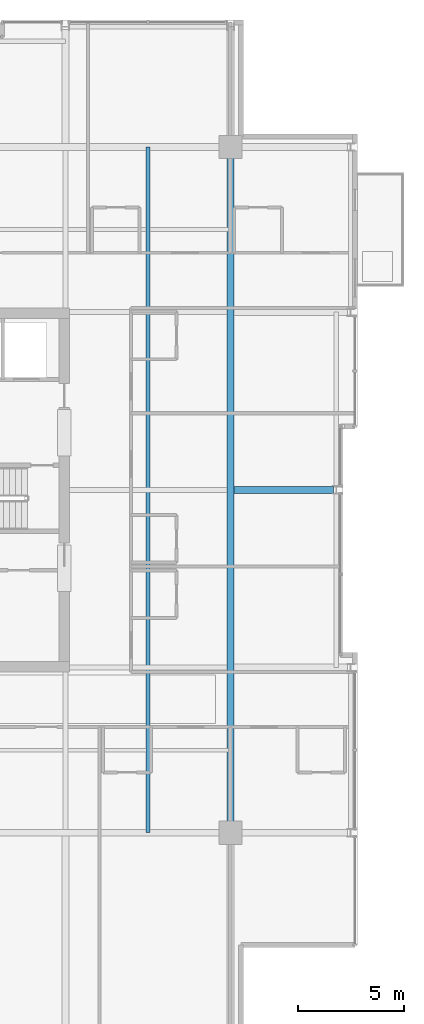
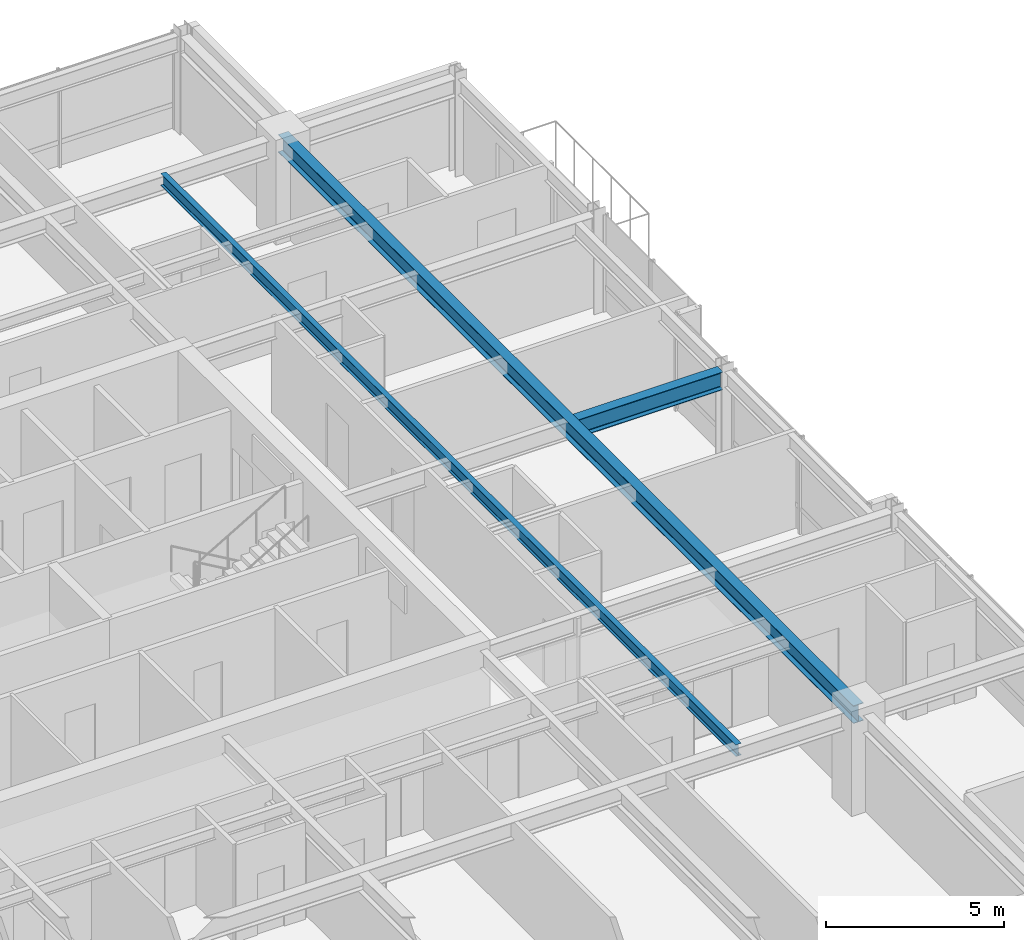
# One storey, part 16 of 33: 3 beams.
"""IFC4 building model written with IfcOpenShell, lengths in metres."""

import ifcopenshell
import ifcopenshell.guid

model = None  # the IFC model being written
_history = None  # IfcOwnerHistory: only IFC2X3 demands one
_inside = {}  # id of a spatial element -> (the spatial element, [elements in it])
_under = {}  # id of a project, library or spatial element -> (it, [spatial elements below it])
_declared = {}  # id of a project -> (the project, [libraries it declares])
_typed = {}  # id of a type object -> (the type object, [elements of that type])
_made_of = {}  # id of a material, layer set ... -> (it, [elements and type objects made of it])


def new_model(schema):
    """Start an empty IFC model of exactly this schema.

    Asked for "IFC4X3", IfcOpenShell would pick the latest addendum, in which some entities
    have other attributes; the version numbers below select the first issue.
    IFC2X3 requires an IfcOwnerHistory on every rooted entity: one is made here for all.
    """
    global model, _history
    if schema == "IFC4X3":
        model = ifcopenshell.file(schema_version=(4, 3, 0, 0))
    else:
        model = ifcopenshell.file(schema=schema)
    _inside.clear()
    _under.clear()
    _declared.clear()
    _typed.clear()
    _made_of.clear()
    _history = None
    if model.schema == "IFC2X3":
        org = make("IfcOrganization", Name="unknown")
        user = make(
            "IfcPersonAndOrganization",
            ThePerson=make("IfcPerson", FamilyName="unknown"),
            TheOrganization=org,
        )
        app = make(
            "IfcApplication",
            ApplicationDeveloper=org,
            Version="unknown",
            ApplicationFullName="unknown",
            ApplicationIdentifier="unknown",
        )
        _history = make(
            "IfcOwnerHistory",
            OwningUser=user,
            OwningApplication=app,
            ChangeAction="ADDED",
            CreationDate=0,
        )
    return model


def make(cls, **values):
    """One entity of the class cls with the attributes given. An attribute that is None is left unset."""
    return model.create_entity(
        cls, **{name: value for name, value in values.items() if value is not None}
    )


def rooted(cls, **values):
    """An entity with a GlobalId (a new one), such as an element, a storey or a relation."""
    return make(cls, GlobalId=ifcopenshell.guid.new(), OwnerHistory=_history, **values)


def si_unit(unit_type, name, prefix=None):
    """IfcSIUnit, for example si_unit("LENGTHUNIT", "METRE", prefix="MILLI")."""
    return make("IfcSIUnit", UnitType=unit_type, Prefix=prefix, Name=name)


def assignment(units):
    """IfcUnitAssignment: the units of a project."""
    return None if units is None else make("IfcUnitAssignment", Units=units)


def point(xyz):
    """IfcCartesianPoint."""
    return None if xyz is None else make("IfcCartesianPoint", Coordinates=xyz)


def direction(xyz):
    """IfcDirection."""
    return None if xyz is None else make("IfcDirection", DirectionRatios=xyz)


def frame(location, z_axis=None, x_axis=None):
    """IfcAxis2Placement3D, a coordinate frame: its origin and axes. An axis left out is left unset."""
    return make(
        "IfcAxis2Placement3D",
        Location=point(location),
        Axis=direction(z_axis),
        RefDirection=direction(x_axis),
    )


def frame_2d(location, x_axis=None):
    """IfcAxis2Placement2D, a coordinate frame in the plane: its origin and x axis."""
    return make(
        "IfcAxis2Placement2D", Location=point(location), RefDirection=direction(x_axis)
    )


def origin():
    """The frame at (0, 0, 0) with its axes left unset."""
    return frame((0.0, 0.0, 0.0))


def origin_2d():
    """The frame at (0, 0) in the plane with its x axis left unset."""
    return frame_2d((0.0, 0.0))


def place(relative_to, where):
    """IfcLocalPlacement: puts the frame where relative to a parent placement (None: the world)."""
    return make(
        "IfcLocalPlacement", PlacementRelTo=relative_to, RelativePlacement=where
    )


def context(
    kind, dimensions, precision=None, world=None, true_north=None, identifier=None
):
    """IfcGeometricRepresentationContext, for example the 3D "Model" context."""
    return make(
        "IfcGeometricRepresentationContext",
        ContextIdentifier=identifier,
        ContextType=kind,
        CoordinateSpaceDimension=dimensions,
        Precision=precision,
        WorldCoordinateSystem=world,
        TrueNorth=true_north,
    )


def subcontext(parent, identifier, kind, view, scale=None):
    """IfcGeometricRepresentationSubContext, for example "Body" below "Model"."""
    return make(
        "IfcGeometricRepresentationSubContext",
        ContextIdentifier=identifier,
        ContextType=kind,
        ParentContext=parent,
        TargetScale=scale,
        TargetView=view,
    )


def project(units=None, contexts=None):
    """IfcProject with its units and contexts."""
    return rooted(
        "IfcProject",
        Name="project",
        RepresentationContexts=contexts,
        UnitsInContext=assignment(units),
    )


def spatial(cls, under=None, at=None, **own):
    """A site, building, storey or space (cls), placed at a placement, below another one or the project."""
    s = rooted(cls, ObjectPlacement=at, **own)
    if under is not None:
        _under.setdefault(under.id(), (under, []))[1].append(s)
    return s


def profile(cls, at=None, kind="AREA", **sizes):
    """A parametric profile (cls). Its sizes go by their IFC names, for example OverallWidth=200.0."""
    return make(cls, ProfileType=kind, Position=at, **sizes)


def i_section(**sizes):
    """IfcIShapeProfileDef."""
    return profile("IfcIShapeProfileDef", **sizes)


def extrude(swept, where, along, depth):
    """IfcExtrudedAreaSolid: the profile swept, set in the frame where, extruded along a direction by depth."""
    return make(
        "IfcExtrudedAreaSolid",
        SweptArea=swept,
        Position=where,
        ExtrudedDirection=direction(along),
        Depth=depth,
    )


def shape(context_of_items, identifier, shape_type, items):
    """IfcShapeRepresentation: the items that make up one representation, for example the "Body"."""
    return make(
        "IfcShapeRepresentation",
        ContextOfItems=context_of_items,
        RepresentationIdentifier=identifier,
        RepresentationType=shape_type,
        Items=items,
    )


def material(Name=None, Category=None):
    """IfcMaterial."""
    return make("IfcMaterial", Name=Name, Category=Category)


def material_profile(
    of_material, cross_section, Name=None, Category=None, Priority=None
):
    """IfcMaterialProfile: a cross section and its material."""
    return make(
        "IfcMaterialProfile",
        Name=Name,
        Material=of_material,
        Profile=cross_section,
        Priority=Priority,
        Category=Category,
    )


def profile_set(profiles, Name=None, composite=None):
    """IfcMaterialProfileSet."""
    return make(
        "IfcMaterialProfileSet",
        Name=Name,
        MaterialProfiles=profiles,
        CompositeProfile=composite,
    )


def made_of(thing, what):
    """Note that an element or type object is made of a material, layer set ...; save() writes the relation."""
    if what is not None:
        _made_of.setdefault(what.id(), (what, []))[1].append(thing)
    return thing


def type_object(cls, material=None, **own):
    """A type object (cls), such as IfcWallType, which elements share."""
    return made_of(rooted(cls, **own), material)


def element(
    cls,
    number,
    at=None,
    inside=None,
    cuts=None,
    type_object=None,
    material=None,
    context=None,
    identifier="Body",
    shape_type=None,
    held_by="IfcProductDefinitionShape",
    body=None,
    shapes=None,
    **own,
):
    """One element of the class cls, such as IfcWall. Its Tag is "e" and its number.

    at: its placement. inside: the storey or other place that contains it. cuts: it is an
    opening in that element (IfcRelVoidsElement). A single representation is given by context,
    identifier, shape_type and body (its items); several are given by shapes. held_by: the class
    of the entity that holds the representations. save() writes the other relations.
    """
    e = rooted(cls, Tag="e%d" % number, ObjectPlacement=at, **own)
    if body is not None:
        shapes = [shape(context, identifier, shape_type, body)]
    if shapes is not None:
        e.Representation = make(held_by, Representations=shapes)
    if inside is not None:
        _inside.setdefault(inside.id(), (inside, []))[1].append(e)
    if cuts is not None:
        rooted(
            "IfcRelVoidsElement", RelatingBuildingElement=cuts, RelatedOpeningElement=e
        )
    if type_object is not None:
        _typed.setdefault(type_object.id(), (type_object, []))[1].append(e)
    return made_of(e, material)


def aggregate(whole, parts):
    """IfcRelAggregates: a whole, such as a stair, and the parts it consists of."""
    return rooted("IfcRelAggregates", RelatingObject=whole, RelatedObjects=parts)


def save(model, path):
    """Write the relations noted so far, then the file.

    IfcRelAggregates (storeys below a building ...), IfcRelContainedInSpatialStructure (elements
    in a storey), IfcRelDefinesByType, IfcRelAssociatesMaterial and IfcRelDeclares: one each for
    every whole, place, type object, material and project.
    """
    for whole, parts in _under.values():
        aggregate(whole, parts)
    for where, things in _inside.values():
        rooted(
            "IfcRelContainedInSpatialStructure",
            RelatedElements=things,
            RelatingStructure=where,
        )
    for kind, things in _typed.values():
        rooted("IfcRelDefinesByType", RelatedObjects=things, RelatingType=kind)
    for what, things in _made_of.values():
        rooted("IfcRelAssociatesMaterial", RelatedObjects=things, RelatingMaterial=what)
    for by, libraries in _declared.values():
        rooted("IfcRelDeclares", RelatingContext=by, RelatedDefinitions=libraries)
    model.write(path)


model = new_model("IFC4")

# Units and contexts
model_context = context("Model", 3, precision=1e-05, world=origin(), true_north=direction((0.0, 1.0)))
body_context = subcontext(model_context, "Body", "Model", "MODEL_VIEW")
ifc_project = project(units=[si_unit("LENGTHUNIT", "METRE"), si_unit("AREAUNIT", "SQUARE_METRE"), si_unit("VOLUMEUNIT", "CUBIC_METRE"), si_unit("PLANEANGLEUNIT", "RADIAN"), si_unit("MASSUNIT", "GRAM", prefix="KILO")], contexts=[model_context])

# Site, building, storey
site_placement = place(None, origin())
site = spatial("IfcSite", under=ifc_project, at=site_placement, CompositionType="ELEMENT")
building_placement = place(site_placement, origin())
building = spatial("IfcBuilding", under=site, at=building_placement, Name="Drelvath Grand Hotel", CompositionType="ELEMENT")
storey_placement = place(building_placement, frame((0.0, 0.0, 248.300048828125)))
storey = spatial("IfcBuildingStorey", under=building, at=storey_placement, Name="L65", CompositionType="ELEMENT", Elevation=248.300048828125)

# Beams
ifc_material = material(Name="Steel ASTM A992 Gr 50", Category="steel")
ifc_material_profile_1 = material_profile(ifc_material, i_section(OverallWidth=0.177734375, OverallDepth=0.40673828125, WebThickness=0.0078125, FlangeThickness=0.0126953125, FilletRadius=0.014892578125, at=origin_2d()), Name="W16X40")
ifc_profile_set_1 = profile_set([ifc_material_profile_1], Name="Steel ASTM A992 Gr 50")
beam_type_1 = type_object("IfcBeamType", Name="Composite Floor Joist W16X40", PredefinedType="JOIST", material=ifc_profile_set_1)
beam_1_placement = place(storey_placement, frame((12.300048828125, 10.800048828125, 3.136474609375), z_axis=(0.0, 1.0, 0.0), x_axis=(-1.0, 0.0, 0.0)))
element("IfcBeam", 1, at=beam_1_placement, inside=storey, type_object=beam_type_1, Name="L65 Wing Floor Joist J4", PredefinedType="JOIST", context=body_context, shape_type="SweptSolid", body=[
    extrude(i_section(OverallWidth=0.177734375, OverallDepth=0.40673828125, WebThickness=0.0078125, FlangeThickness=0.0126953125, FilletRadius=0.014892578125, at=origin_2d()), origin(), (0.0, 0.0, 1.0), 32.39990234375),
])
ifc_material_profile_2 = material_profile(ifc_material, i_section(OverallWidth=0.323974609375, OverallDepth=0.611083984375, WebThickness=0.0126953125, FlangeThickness=0.01904296875, FilletRadius=0.02197265625, at=origin_2d()), Name="W24X104")
ifc_profile_set_2 = profile_set([ifc_material_profile_2], Name="Steel ASTM A992 Gr 50")
beam_type_2 = type_object("IfcBeamType", Name="Primary Floor Girder W24X104", PredefinedType="BEAM", material=ifc_profile_set_2)
beam_2_placement = place(storey_placement, frame((16.199951171875, 10.800048828125, 3.034423828125), z_axis=(0.0, 1.0, 0.0), x_axis=(-1.0, 0.0, 0.0)))
element("IfcBeam", 2, at=beam_2_placement, inside=storey, type_object=beam_type_2, Name="L65 Mega Ring Girder East", PredefinedType="BEAM", context=body_context, shape_type="SweptSolid", body=[
    extrude(i_section(OverallWidth=0.323974609375, OverallDepth=0.611083984375, WebThickness=0.0126953125, FlangeThickness=0.01904296875, FilletRadius=0.02197265625, at=origin_2d()), origin(), (0.0, 0.0, 1.0), 32.39990234375),
])
beam_3_placement = place(storey_placement, frame((16.362060546875, 27.0, 3.034423828125), z_axis=(1.0, 0.0, 0.0), x_axis=(0.0, 1.0, 0.0)))
element("IfcBeam", 3, at=beam_3_placement, inside=storey, type_object=beam_type_2, Name="L65 East Wing Girder E", PredefinedType="BEAM", context=body_context, shape_type="SweptSolid", body=[
    extrude(i_section(OverallWidth=0.323974609375, OverallDepth=0.611083984375, WebThickness=0.0126953125, FlangeThickness=0.01904296875, FilletRadius=0.02197265625, at=origin_2d()), origin(), (0.0, 0.0, 1.0), 4.697998046875),
])

save(model, "model.ifc")
